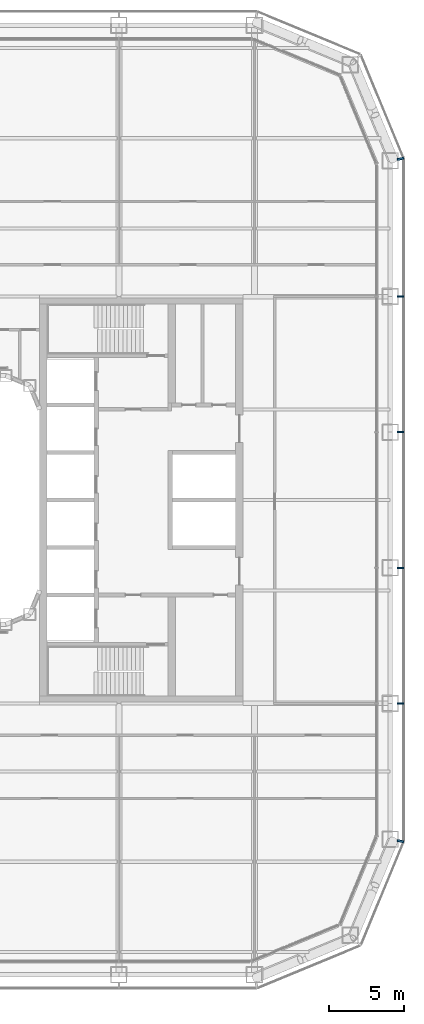
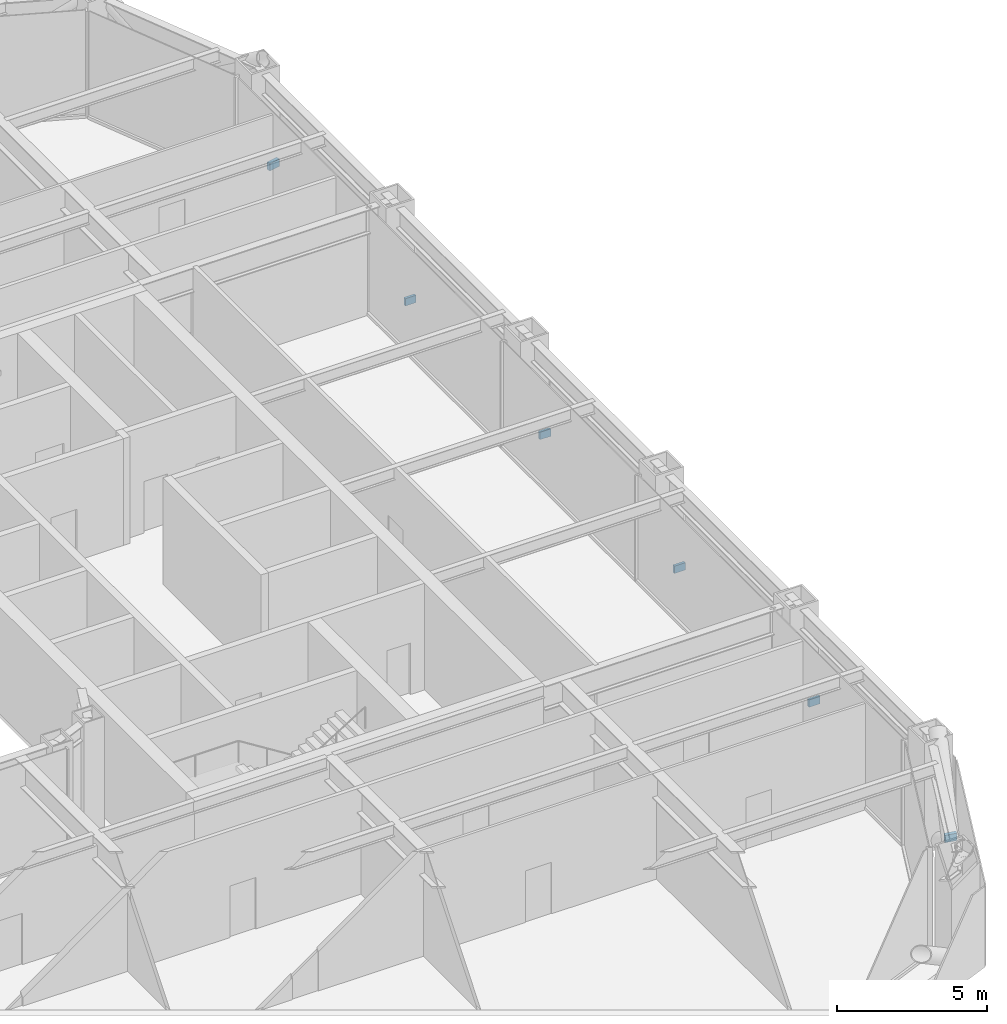
# One storey, part 18 of 24: 6 discrete accessories.
"""IFC4 building model written with IfcOpenShell, lengths in metres."""

from ifc_helpers import new_model, si_unit, direction, frame, origin, origin_2d, place, context, subcontext, project, spatial, rectangle, extrude, material, type_object, element, save


model = new_model("IFC4")

# Units and contexts
model_context = context("Model", 3, precision=1e-05, world=origin(), true_north=direction((0.0, 1.0)))
body_context = subcontext(model_context, "Body", "Model", "MODEL_VIEW")
ifc_project = project(units=[si_unit("LENGTHUNIT", "METRE"), si_unit("AREAUNIT", "SQUARE_METRE"), si_unit("VOLUMEUNIT", "CUBIC_METRE"), si_unit("PLANEANGLEUNIT", "RADIAN"), si_unit("MASSUNIT", "GRAM", prefix="KILO")], contexts=[model_context])

# Site, building, storey
site_placement = place(None, origin())
site = spatial("IfcSite", under=ifc_project, at=site_placement, CompositionType="ELEMENT")
building_placement = place(site_placement, origin())
building = spatial("IfcBuilding", under=site, at=building_placement, Name="Siwar Civic Tower", CompositionType="ELEMENT")
storey_placement = place(building_placement, frame((0.0, 0.0, 22.199951171875)))
storey = spatial("IfcBuildingStorey", under=building, at=storey_placement, Name="L04", CompositionType="ELEMENT", Elevation=22.199951171875)

# Discrete accessories
ifc_material = material(Name="Stainless steel 316", Category="steel")
discrete_accessory_type = type_object("IfcDiscreteAccessoryType", Name="ENV-BRACKET", PredefinedType="BRACKET", material=ifc_material)
for number, where, z_axis, x_axis, name in (
    (1, (32.18994140625, -13.5, -0.14990234375), (0.0, 0.0, 1.0), (1.0, 0.0, 0.0), "Bracket outer skin joint E-01"),
    (2, (32.18994140625, -4.5, -0.14990234375), (0.0, 0.0, 1.0), (1.0, 0.0, 0.0), "Bracket outer skin joint E-02"),
    (3, (32.18994140625, 4.5, -0.14990234375), (0.0, 0.0, 1.0), (1.0, 0.0, 0.0), "Bracket outer skin joint E-03"),
    (4, (32.18994140625, 13.5, -0.14990234375), (0.0, 0.0, 1.0), (1.0, 0.0, 0.0), "Bracket outer skin joint E-04"),
):
    element("IfcDiscreteAccessory", number, at=place(storey_placement, frame(where, z_axis=z_axis, x_axis=x_axis)), inside=storey, type_object=discrete_accessory_type, Name=name, PredefinedType="BRACKET", context=body_context, shape_type="SweptSolid", body=[
        extrude(rectangle(XDim=0.419921875, YDim=0.10009765625, at=origin_2d()), origin(), (0.0, 0.0, 1.0), 0.300048828125),
    ])
for number, where, z_axis, x_axis, name in (
    (5, (32.190185546875, -22.63720703125, -0.14990234375), (0.0, 0.0, 1.0), (0.980785280403, -0.195090322016, 0.0), "Bracket outer skin joint V03"),
    (6, (32.190185546875, 22.63720703125, -0.14990234375), (0.0, 0.0, 1.0), (0.980785280403, 0.195090322016, 0.0), "Bracket outer skin joint V04"),
):
    element("IfcDiscreteAccessory", number, at=place(storey_placement, frame(where, z_axis=z_axis, x_axis=x_axis)), inside=storey, type_object=discrete_accessory_type, Name=name, PredefinedType="BRACKET", context=body_context, shape_type="SweptSolid", body=[
        extrude(rectangle(XDim=0.427734375, YDim=0.13720703125, at=origin_2d()), origin(), (0.0, 0.0, 1.0), 0.300048828125),
    ])

save(model, "model.ifc")
